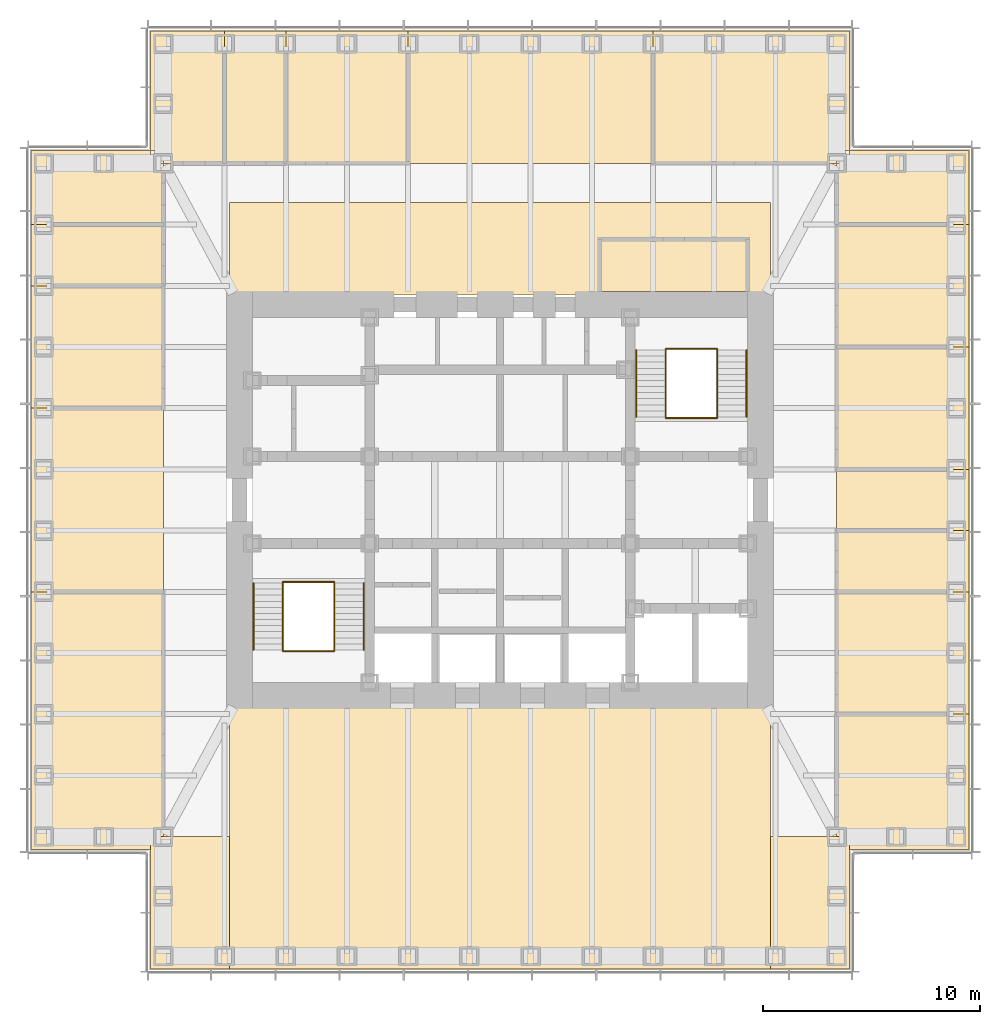
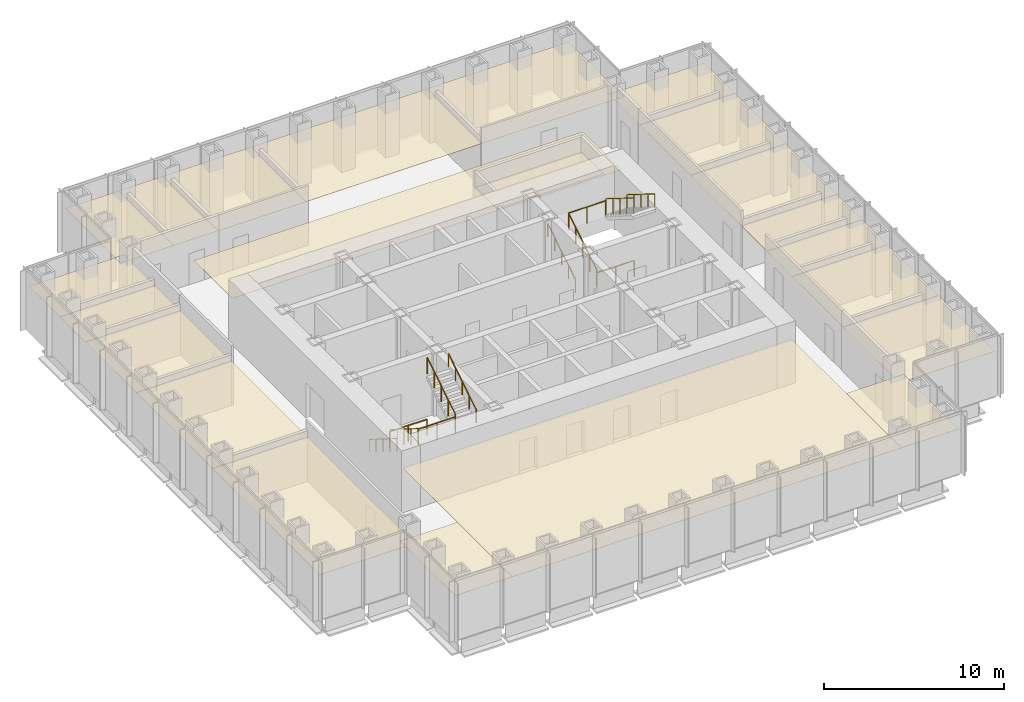
# One storey, part 16 of 16: 22 coverings, 12 railings.
"""IFC4 building model written with IfcOpenShell, lengths in metres."""

from ifc_helpers import new_model, si_unit, direction, frame, origin, origin_2d, place, context, subcontext, project, spatial, polyline, circle, outline, extrude, material, layer, layer_set, type_object, element, save


model = new_model("IFC4")

# Units and contexts
model_context = context("Model", 3, precision=1e-05, world=origin(), true_north=direction((0.0, 1.0)))
body_context = subcontext(model_context, "Body", "Model", "MODEL_VIEW")
ifc_project = project(units=[si_unit("LENGTHUNIT", "METRE"), si_unit("AREAUNIT", "SQUARE_METRE"), si_unit("VOLUMEUNIT", "CUBIC_METRE"), si_unit("PLANEANGLEUNIT", "RADIAN"), si_unit("MASSUNIT", "GRAM", prefix="KILO")], contexts=[model_context])

# Site, building, storey
site_placement = place(None, origin())
site = spatial("IfcSite", under=ifc_project, at=site_placement, CompositionType="ELEMENT")
building_placement = place(site_placement, origin())
building = spatial("IfcBuilding", under=site, at=building_placement, Name="Daluyong Arena Tower", CompositionType="ELEMENT")
storey_placement = place(building_placement, frame((0.0, 0.0, 210.699951171875)))
storey = spatial("IfcBuildingStorey", under=building, at=storey_placement, Name="L47", CompositionType="ELEMENT", Elevation=210.699951171875)

# Coverings
ifc_material_1 = material(Name="Mineral fibre ceiling tile", Category="gypsum board")
ifc_layer = layer(ifc_material_1, 0.02001953125)
ifc_layer_set = layer_set([ifc_layer], Name="Mineral fibre ceiling tile")
covering_type = type_object("IfcCoveringType", Name="Office ceiling", PredefinedType="CEILING", material=ifc_layer_set)
covering_1_placement = place(storey_placement, frame((0.0, 0.0, 2.900146484375)))
element("IfcCovering", 1, at=covering_1_placement, inside=storey, type_object=covering_type, Name="ceiling L47-01", PredefinedType="CEILING", context=body_context, shape_type="SweptSolid", body=[
    extrude(outline(polyline([(72.10009765625, 63.89990234375), (77.60009765625, 63.89990234375), (77.60009765625, 70.136474609375), (71.5, 70.136474609375), (71.5, 64.5), (72.10009765625, 64.5), (72.10009765625, 63.89990234375)])), origin(), (0.0, 0.0, 1.0), 0.02001953125),
])
covering_2_placement = place(storey_placement, frame((0.0, 0.0, 2.900146484375)))
element("IfcCovering", 2, at=covering_2_placement, inside=storey, type_object=covering_type, Name="ceiling L47-02", PredefinedType="CEILING", context=body_context, shape_type="SweptSolid", body=[
    extrude(outline(polyline([(71.5, 70.136474609375), (77.60009765625, 70.136474609375), (77.60009765625, 75.772705078125), (71.5, 75.772705078125), (71.5, 70.136474609375)])), origin(), (0.0, 0.0, 1.0), 0.02001953125),
])
covering_3_placement = place(storey_placement, frame((0.0, 0.0, 2.900146484375)))
element("IfcCovering", 3, at=covering_3_placement, inside=storey, type_object=covering_type, Name="ceiling L47-03", PredefinedType="CEILING", context=body_context, shape_type="SweptSolid", body=[
    extrude(outline(polyline([(71.5, 75.772705078125), (77.60009765625, 75.772705078125), (77.60009765625, 78.5908203125), (71.5, 78.5908203125), (71.5, 75.772705078125)])), origin(), (0.0, 0.0, 1.0), 0.02001953125),
])
covering_4_placement = place(storey_placement, frame((0.0, 0.0, 2.900146484375)))
element("IfcCovering", 4, at=covering_4_placement, inside=storey, type_object=covering_type, Name="ceiling L47-04", PredefinedType="CEILING", context=body_context, shape_type="SweptSolid", body=[
    extrude(outline(polyline([(71.5, 81.4091796875), (77.60009765625, 81.4091796875), (77.60009765625, 87.04541015625), (71.5, 87.04541015625), (71.5, 81.4091796875)])), origin(), (0.0, 0.0, 1.0), 0.02001953125),
])
covering_5_placement = place(storey_placement, frame((0.0, 0.0, 2.900146484375)))
element("IfcCovering", 5, at=covering_5_placement, inside=storey, type_object=covering_type, Name="ceiling L47-05", PredefinedType="CEILING", context=body_context, shape_type="SweptSolid", body=[
    extrude(outline(polyline([(71.5, 87.04541015625), (77.60009765625, 87.04541015625), (77.60009765625, 92.681884765625), (71.5, 92.681884765625), (71.5, 87.04541015625)])), origin(), (0.0, 0.0, 1.0), 0.02001953125),
])
covering_6_placement = place(storey_placement, frame((0.0, 0.0, 2.900146484375)))
element("IfcCovering", 6, at=covering_6_placement, inside=storey, type_object=covering_type, Name="ceiling L47-06", PredefinedType="CEILING", context=body_context, shape_type="SweptSolid", body=[
    extrude(outline(polyline([(71.5, 92.681884765625), (77.60009765625, 92.681884765625), (77.60009765625, 96.10009765625), (72.10009765625, 96.10009765625), (72.10009765625, 95.5), (71.5, 95.5), (71.5, 92.681884765625)])), origin(), (0.0, 0.0, 1.0), 0.02001953125),
])
covering_7_placement = place(storey_placement, frame((0.0, 0.0, 2.900146484375)))
element("IfcCovering", 7, at=covering_7_placement, inside=storey, type_object=covering_type, Name="ceiling L47-07", PredefinedType="CEILING", context=body_context, shape_type="SweptSolid", body=[
    extrude(outline(polyline([(43.318115234375, 95.5), (43.318115234375, 101.60009765625), (39.89990234375, 101.60009765625), (39.89990234375, 96.10009765625), (40.5, 96.10009765625), (40.5, 95.5), (43.318115234375, 95.5)])), origin(), (0.0, 0.0, 1.0), 0.02001953125),
])
covering_8_placement = place(storey_placement, frame((0.0, 0.0, 2.900146484375)))
element("IfcCovering", 8, at=covering_8_placement, inside=storey, type_object=covering_type, Name="ceiling L47-08", PredefinedType="CEILING", context=body_context, shape_type="SweptSolid", body=[
    extrude(outline(polyline([(46.136474609375, 95.5), (46.136474609375, 101.60009765625), (43.318115234375, 101.60009765625), (43.318115234375, 95.5), (46.136474609375, 95.5)])), origin(), (0.0, 0.0, 1.0), 0.02001953125),
])
covering_9_placement = place(storey_placement, frame((0.0, 0.0, 2.900146484375)))
element("IfcCovering", 9, at=covering_9_placement, inside=storey, type_object=covering_type, Name="ceiling L47-09", PredefinedType="CEILING", context=body_context, shape_type="SweptSolid", body=[
    extrude(outline(polyline([(51.772705078125, 95.5), (51.772705078125, 101.60009765625), (46.136474609375, 101.60009765625), (46.136474609375, 95.5), (51.772705078125, 95.5)])), origin(), (0.0, 0.0, 1.0), 0.02001953125),
])
covering_10_placement = place(storey_placement, frame((0.0, 0.0, 2.900146484375)))
element("IfcCovering", 10, at=covering_10_placement, inside=storey, type_object=covering_type, Name="ceiling L47-10", PredefinedType="CEILING", context=body_context, shape_type="SweptSolid", body=[
    extrude(outline(polyline([(63.04541015625, 95.5), (71.5, 95.5), (71.5, 96.10009765625), (72.10009765625, 96.10009765625), (72.10009765625, 101.60009765625), (63.04541015625, 101.60009765625), (63.04541015625, 95.5)])), origin(), (0.0, 0.0, 1.0), 0.02001953125),
])
covering_11_placement = place(storey_placement, frame((0.0, 0.0, 2.900146484375)))
element("IfcCovering", 11, at=covering_11_placement, inside=storey, type_object=covering_type, Name="ceiling L47-11", PredefinedType="CEILING", context=body_context, shape_type="SweptSolid", body=[
    extrude(outline(polyline([(34.39990234375, 63.89990234375), (39.89990234375, 63.89990234375), (39.89990234375, 64.5), (40.5, 64.5), (40.5, 75.772705078125), (34.39990234375, 75.772705078125), (34.39990234375, 63.89990234375)])), origin(), (0.0, 0.0, 1.0), 0.02001953125),
])
covering_12_placement = place(storey_placement, frame((0.0, 0.0, 2.900146484375)))
element("IfcCovering", 12, at=covering_12_placement, inside=storey, type_object=covering_type, Name="ceiling L47-12", PredefinedType="CEILING", context=body_context, shape_type="SweptSolid", body=[
    extrude(outline(polyline([(40.5, 89.863525390625), (34.39990234375, 89.863525390625), (34.39990234375, 84.227294921875), (40.5, 84.227294921875), (40.5, 89.863525390625)])), origin(), (0.0, 0.0, 1.0), 0.02001953125),
])
covering_13_placement = place(storey_placement, frame((0.0, 0.0, 2.900146484375)))
element("IfcCovering", 13, at=covering_13_placement, inside=storey, type_object=covering_type, Name="ceiling L47-13", PredefinedType="CEILING", context=body_context, shape_type="SweptSolid", body=[
    extrude(outline(polyline([(40.5, 92.681884765625), (34.39990234375, 92.681884765625), (34.39990234375, 89.863525390625), (40.5, 89.863525390625), (40.5, 92.681884765625)])), origin(), (0.0, 0.0, 1.0), 0.02001953125),
])
covering_14_placement = place(storey_placement, frame((0.0, 0.0, 2.900146484375)))
element("IfcCovering", 14, at=covering_14_placement, inside=storey, type_object=covering_type, Name="ceiling L47-14", PredefinedType="CEILING", context=body_context, shape_type="SweptSolid", body=[
    extrude(outline(polyline([(40.5, 92.681884765625), (40.5, 95.5), (39.89990234375, 95.5), (39.89990234375, 96.10009765625), (34.39990234375, 96.10009765625), (34.39990234375, 92.681884765625), (40.5, 92.681884765625)])), origin(), (0.0, 0.0, 1.0), 0.02001953125),
])
covering_15_placement = place(storey_placement, frame((0.0, 0.0, 2.900146484375)))
element("IfcCovering", 15, at=covering_15_placement, inside=storey, type_object=covering_type, Name="ceiling L47-15", PredefinedType="CEILING", context=body_context, shape_type="SweptSolid", body=[
    extrude(outline(polyline([(60.60009765625, 89.60009765625), (67.39990234375, 89.60009765625), (67.39990234375, 92.0), (60.60009765625, 92.0), (60.60009765625, 89.60009765625)])), origin(), (0.0, 0.0, 1.0), 0.02001953125),
])
covering_16_placement = place(storey_placement, frame((0.0, 0.0, 2.900146484375)))
element("IfcCovering", 16, at=covering_16_placement, inside=storey, type_object=covering_type, Name="ceiling L47-19", PredefinedType="CEILING", context=body_context, shape_type="SweptSolid", body=[
    extrude(outline(polyline([(43.550048828125, 58.39990234375), (68.449951171875, 58.39990234375), (68.449951171875, 70.550048828125), (43.550048828125, 70.550048828125), (43.550048828125, 58.39990234375)])), origin(), (0.0, 0.0, 1.0), 0.02001953125),
])
covering_17_placement = place(storey_placement, frame((0.0, 0.0, 2.900146484375)))
element("IfcCovering", 17, at=covering_17_placement, inside=storey, type_object=covering_type, Name="ceiling L47-20", PredefinedType="CEILING", context=body_context, shape_type="SweptSolid", body=[
    extrude(outline(polyline([(71.5, 78.5908203125), (77.60009765625, 78.5908203125), (77.60009765625, 81.4091796875), (71.5, 81.4091796875), (71.5, 78.5908203125)])), origin(), (0.0, 0.0, 1.0), 0.02001953125),
])
covering_18_placement = place(storey_placement, frame((0.0, 0.0, 2.900146484375)))
element("IfcCovering", 18, at=covering_18_placement, inside=storey, type_object=covering_type, Name="ceiling L47-21", PredefinedType="CEILING", context=body_context, shape_type="SweptSolid", body=[
    extrude(outline(polyline([(72.10009765625, 58.39990234375), (72.10009765625, 64.5), (68.449951171875, 64.5), (68.449951171875, 58.39990234375), (72.10009765625, 58.39990234375)])), origin(), (0.0, 0.0, 1.0), 0.02001953125),
])
covering_19_placement = place(storey_placement, frame((0.0, 0.0, 2.900146484375)))
element("IfcCovering", 19, at=covering_19_placement, inside=storey, type_object=covering_type, Name="ceiling L47-22", PredefinedType="CEILING", context=body_context, shape_type="SweptSolid", body=[
    extrude(outline(polyline([(63.04541015625, 101.60009765625), (51.772705078125, 101.60009765625), (51.772705078125, 95.5), (63.04541015625, 95.5), (63.04541015625, 101.60009765625)])), origin(), (0.0, 0.0, 1.0), 0.02001953125),
])
covering_20_placement = place(storey_placement, frame((0.0, 0.0, 2.900146484375)))
element("IfcCovering", 20, at=covering_20_placement, inside=storey, type_object=covering_type, Name="ceiling L47-23", PredefinedType="CEILING", context=body_context, shape_type="SweptSolid", body=[
    extrude(outline(polyline([(43.550048828125, 89.449951171875), (68.449951171875, 89.449951171875), (68.449951171875, 93.699951171875), (43.550048828125, 93.699951171875), (43.550048828125, 89.449951171875)]), holes=[polyline([(67.39990234375, 89.60009765625), (60.60009765625, 89.60009765625), (60.60009765625, 92.0), (67.39990234375, 92.0), (67.39990234375, 89.60009765625)])]), origin(), (0.0, 0.0, 1.0), 0.02001953125),
])
covering_21_placement = place(storey_placement, frame((0.0, 0.0, 2.900146484375)))
element("IfcCovering", 21, at=covering_21_placement, inside=storey, type_object=covering_type, Name="ceiling L47-24", PredefinedType="CEILING", context=body_context, shape_type="SweptSolid", body=[
    extrude(outline(polyline([(34.39990234375, 84.227294921875), (34.39990234375, 75.772705078125), (40.5, 75.772705078125), (40.5, 84.227294921875), (34.39990234375, 84.227294921875)])), origin(), (0.0, 0.0, 1.0), 0.02001953125),
])
covering_22_placement = place(storey_placement, frame((0.0, 0.0, 2.900146484375)))
element("IfcCovering", 22, at=covering_22_placement, inside=storey, type_object=covering_type, Name="ceiling L47-25", PredefinedType="CEILING", context=body_context, shape_type="SweptSolid", body=[
    extrude(outline(polyline([(39.89990234375, 58.39990234375), (43.550048828125, 58.39990234375), (43.550048828125, 64.5), (39.89990234375, 64.5), (39.89990234375, 58.39990234375)])), origin(), (0.0, 0.0, 1.0), 0.02001953125),
])

# Railings
ifc_material_2 = material(Name="Stainless steel handrail", Category="steel")
railing_type_1 = type_object("IfcRailingType", Name="Stair handrail", PredefinedType="HANDRAIL", material=ifc_material_2)
railing_1_placement = place(storey_placement, frame((44.64990234375, 76.175048828125, 0.175048828125)))
element("IfcRailing", 23, at=railing_1_placement, inside=storey, type_object=railing_type_1, Name="exit stair A handrail L47", PredefinedType="HANDRAIL", context=body_context, shape_type="SweptSolid", body=[
    extrude(circle(Radius=0.02392578125, at=origin_2d()), frame((0.0, 0.0, 0.8759765625), z_axis=(0.0, -0.847998304005, 0.529998940003), x_axis=(1.0, 0.0, 0.0)), (0.0, 0.0, 1.0), 3.632080078125),
    extrude(circle(Radius=0.02099609375, at=origin_2d()), origin(), (0.0, 0.0, 1.0), 0.851806640625),
    extrude(circle(Radius=0.02099609375, at=origin_2d()), frame((0.0, -0.77001953125, 0.481201171875)), (0.0, 0.0, 1.0), 0.851806640625),
    extrude(circle(Radius=0.02099609375, at=origin_2d()), frame((0.0, -1.5400390625, 0.96240234375)), (0.0, 0.0, 1.0), 0.851806640625),
    extrude(circle(Radius=0.02099609375, at=origin_2d()), frame((0.0, -2.31005859375, 1.44384765625)), (0.0, 0.0, 1.0), 0.851806640625),
    extrude(circle(Radius=0.02099609375, at=origin_2d()), frame((0.0, -3.080078125, 1.925048828125)), (0.0, 0.0, 1.0), 0.851806640625),
])
railing_2_placement = place(storey_placement, frame((49.72509765625, 73.094970703125, 2.275146484375)))
element("IfcRailing", 24, at=railing_2_placement, inside=storey, type_object=railing_type_1, Name="exit stair A handrail L47", PredefinedType="HANDRAIL", context=body_context, shape_type="SweptSolid", body=[
    extrude(circle(Radius=0.02392578125, at=origin_2d()), frame((0.0, 0.0, 0.8759765625), z_axis=(0.0, 0.848028513186, 0.529950602248), x_axis=(-1.0, 0.0, 0.0)), (0.0, 0.0, 1.0), 3.632080078125),
    extrude(circle(Radius=0.02099609375, at=origin_2d()), origin(), (0.0, 0.0, 1.0), 0.851806640625),
    extrude(circle(Radius=0.02099609375, at=origin_2d()), frame((0.0, 0.77001953125, 0.481201171875)), (0.0, 0.0, 1.0), 0.851806640625),
    extrude(circle(Radius=0.02099609375, at=origin_2d()), frame((0.0, 1.5400390625, 0.96240234375)), (0.0, 0.0, 1.0), 0.851806640625),
    extrude(circle(Radius=0.02099609375, at=origin_2d()), frame((0.0, 2.31005859375, 1.443603515625)), (0.0, 0.0, 1.0), 0.851806640625),
    extrude(circle(Radius=0.02099609375, at=origin_2d()), frame((0.0, 3.080078125, 1.9248046875)), (0.0, 0.0, 1.0), 0.851806640625),
])
railing_3_placement = place(storey_placement, frame((62.27490234375, 83.824951171875, 0.175048828125)))
element("IfcRailing", 25, at=railing_3_placement, inside=storey, type_object=railing_type_1, Name="exit stair B handrail L47", PredefinedType="HANDRAIL", context=body_context, shape_type="SweptSolid", body=[
    extrude(circle(Radius=0.02392578125, at=origin_2d()), frame((0.0, 0.0, 0.8759765625), z_axis=(0.0, 0.847998304005, 0.529998940003), x_axis=(-1.0, 0.0, 0.0)), (0.0, 0.0, 1.0), 3.632080078125),
    extrude(circle(Radius=0.02099609375, at=origin_2d()), origin(), (0.0, 0.0, 1.0), 0.851806640625),
    extrude(circle(Radius=0.02099609375, at=origin_2d()), frame((0.0, 0.77001953125, 0.481201171875)), (0.0, 0.0, 1.0), 0.851806640625),
    extrude(circle(Radius=0.02099609375, at=origin_2d()), frame((0.0, 1.5400390625, 0.96240234375)), (0.0, 0.0, 1.0), 0.851806640625),
    extrude(circle(Radius=0.02099609375, at=origin_2d()), frame((0.0, 2.31005859375, 1.44384765625)), (0.0, 0.0, 1.0), 0.851806640625),
    extrude(circle(Radius=0.02099609375, at=origin_2d()), frame((0.0, 3.080078125, 1.925048828125)), (0.0, 0.0, 1.0), 0.851806640625),
])
railing_4_placement = place(storey_placement, frame((67.35009765625, 86.905029296875, 2.275146484375)))
element("IfcRailing", 26, at=railing_4_placement, inside=storey, type_object=railing_type_1, Name="exit stair B handrail L47", PredefinedType="HANDRAIL", context=body_context, shape_type="SweptSolid", body=[
    extrude(circle(Radius=0.02392578125, at=origin_2d()), frame((0.0, 0.0, 0.8759765625), z_axis=(0.0, -0.848028513186, 0.529950602248), x_axis=(1.0, 0.0, 0.0)), (0.0, 0.0, 1.0), 3.632080078125),
    extrude(circle(Radius=0.02099609375, at=origin_2d()), origin(), (0.0, 0.0, 1.0), 0.851806640625),
    extrude(circle(Radius=0.02099609375, at=origin_2d()), frame((0.0, -0.77001953125, 0.481201171875)), (0.0, 0.0, 1.0), 0.851806640625),
    extrude(circle(Radius=0.02099609375, at=origin_2d()), frame((0.0, -1.5400390625, 0.96240234375)), (0.0, 0.0, 1.0), 0.851806640625),
    extrude(circle(Radius=0.02099609375, at=origin_2d()), frame((0.0, -2.31005859375, 1.443603515625)), (0.0, 0.0, 1.0), 0.851806640625),
    extrude(circle(Radius=0.02099609375, at=origin_2d()), frame((0.0, -3.080078125, 1.9248046875)), (0.0, 0.0, 1.0), 0.851806640625),
])
ifc_material_3 = material(Name="Steel balustrade", Category="steel")
railing_type_2 = type_object("IfcRailingType", Name="Stair well guard 1100", PredefinedType="GUARDRAIL", material=ifc_material_3)
railing_5_placement = place(storey_placement, frame((46.0, 76.175048828125, 0.175048828125)))
element("IfcRailing", 27, at=railing_5_placement, inside=storey, type_object=railing_type_2, Name="exit stair A well guard L47", PredefinedType="GUARDRAIL", context=body_context, shape_type="SweptSolid", body=[
    extrude(circle(Radius=0.02392578125, at=origin_2d()), frame((0.0, 0.0, 1.076171875), z_axis=(0.0, -0.847998304005, 0.529998940003), x_axis=(1.0, 0.0, 0.0)), (0.0, 0.0, 1.0), 3.632080078125),
    extrude(circle(Radius=0.02099609375, at=origin_2d()), origin(), (0.0, 0.0, 1.0), 1.052001953125),
    extrude(circle(Radius=0.02099609375, at=origin_2d()), frame((0.0, -0.77001953125, 0.481201171875)), (0.0, 0.0, 1.0), 1.052001953125),
    extrude(circle(Radius=0.02099609375, at=origin_2d()), frame((0.0, -1.5400390625, 0.96240234375)), (0.0, 0.0, 1.0), 1.052001953125),
    extrude(circle(Radius=0.02099609375, at=origin_2d()), frame((0.0, -2.31005859375, 1.44384765625)), (0.0, 0.0, 1.0), 1.052001953125),
    extrude(circle(Radius=0.02099609375, at=origin_2d()), frame((0.0, -3.080078125, 1.925048828125)), (0.0, 0.0, 1.0), 1.052001953125),
])
railing_6_placement = place(storey_placement, frame((48.375, 73.094970703125, 2.275146484375)))
element("IfcRailing", 28, at=railing_6_placement, inside=storey, type_object=railing_type_2, Name="exit stair A well guard L47", PredefinedType="GUARDRAIL", context=body_context, shape_type="SweptSolid", body=[
    extrude(circle(Radius=0.02392578125, at=origin_2d()), frame((0.0, 0.0, 1.076171875), z_axis=(0.0, 0.848028513186, 0.529950602248), x_axis=(-1.0, 0.0, 0.0)), (0.0, 0.0, 1.0), 3.632080078125),
    extrude(circle(Radius=0.02099609375, at=origin_2d()), origin(), (0.0, 0.0, 1.0), 1.052001953125),
    extrude(circle(Radius=0.02099609375, at=origin_2d()), frame((0.0, 0.77001953125, 0.481201171875)), (0.0, 0.0, 1.0), 1.052001953125),
    extrude(circle(Radius=0.02099609375, at=origin_2d()), frame((0.0, 1.5400390625, 0.96240234375)), (0.0, 0.0, 1.0), 1.052001953125),
    extrude(circle(Radius=0.02099609375, at=origin_2d()), frame((0.0, 2.31005859375, 1.443603515625)), (0.0, 0.0, 1.0), 1.052001953125),
    extrude(circle(Radius=0.02099609375, at=origin_2d()), frame((0.0, 3.080078125, 1.9248046875)), (0.0, 0.0, 1.0), 1.052001953125),
])
for number, where, name in (
    (29, (46.0, 73.044921875, 2.10009765625), "exit stair A landing guard L47"),
    (30, (46.0, 76.22509765625, 0.0), "exit stair A floor landing guard L47"),
):
    element("IfcRailing", number, at=place(storey_placement, frame(where)), inside=storey, type_object=railing_type_2, Name=name, PredefinedType="GUARDRAIL", context=body_context, shape_type="SweptSolid", body=[
        extrude(circle(Radius=0.02392578125, at=origin_2d()), frame((0.0, 0.0, 1.076171875), z_axis=(1.0, 0.0, 0.0), x_axis=(0.0, 1.0, 0.0)), (0.0, 0.0, 1.0), 2.375),
        extrude(circle(Radius=0.02099609375, at=origin_2d()), origin(), (0.0, 0.0, 1.0), 1.052001953125),
        extrude(circle(Radius=0.02099609375, at=origin_2d()), frame((1.1875, 0.0, 0.0)), (0.0, 0.0, 1.0), 1.052001953125),
        extrude(circle(Radius=0.02099609375, at=origin_2d()), frame((2.375, 0.0, 0.0)), (0.0, 0.0, 1.0), 1.052001953125),
    ])
railing_7_placement = place(storey_placement, frame((63.625, 83.824951171875, 0.175048828125)))
element("IfcRailing", 31, at=railing_7_placement, inside=storey, type_object=railing_type_2, Name="exit stair B well guard L47", PredefinedType="GUARDRAIL", context=body_context, shape_type="SweptSolid", body=[
    extrude(circle(Radius=0.02392578125, at=origin_2d()), frame((0.0, 0.0, 1.076171875), z_axis=(0.0, 0.847998304005, 0.529998940003), x_axis=(-1.0, 0.0, 0.0)), (0.0, 0.0, 1.0), 3.632080078125),
    extrude(circle(Radius=0.02099609375, at=origin_2d()), origin(), (0.0, 0.0, 1.0), 1.052001953125),
    extrude(circle(Radius=0.02099609375, at=origin_2d()), frame((0.0, 0.77001953125, 0.481201171875)), (0.0, 0.0, 1.0), 1.052001953125),
    extrude(circle(Radius=0.02099609375, at=origin_2d()), frame((0.0, 1.5400390625, 0.96240234375)), (0.0, 0.0, 1.0), 1.052001953125),
    extrude(circle(Radius=0.02099609375, at=origin_2d()), frame((0.0, 2.31005859375, 1.44384765625)), (0.0, 0.0, 1.0), 1.052001953125),
    extrude(circle(Radius=0.02099609375, at=origin_2d()), frame((0.0, 3.080078125, 1.925048828125)), (0.0, 0.0, 1.0), 1.052001953125),
])
railing_8_placement = place(storey_placement, frame((66.0, 86.905029296875, 2.275146484375)))
element("IfcRailing", 32, at=railing_8_placement, inside=storey, type_object=railing_type_2, Name="exit stair B well guard L47", PredefinedType="GUARDRAIL", context=body_context, shape_type="SweptSolid", body=[
    extrude(circle(Radius=0.02392578125, at=origin_2d()), frame((0.0, 0.0, 1.076171875), z_axis=(0.0, -0.848028513186, 0.529950602248), x_axis=(1.0, 0.0, 0.0)), (0.0, 0.0, 1.0), 3.632080078125),
    extrude(circle(Radius=0.02099609375, at=origin_2d()), origin(), (0.0, 0.0, 1.0), 1.052001953125),
    extrude(circle(Radius=0.02099609375, at=origin_2d()), frame((0.0, -0.77001953125, 0.481201171875)), (0.0, 0.0, 1.0), 1.052001953125),
    extrude(circle(Radius=0.02099609375, at=origin_2d()), frame((0.0, -1.5400390625, 0.96240234375)), (0.0, 0.0, 1.0), 1.052001953125),
    extrude(circle(Radius=0.02099609375, at=origin_2d()), frame((0.0, -2.31005859375, 1.443603515625)), (0.0, 0.0, 1.0), 1.052001953125),
    extrude(circle(Radius=0.02099609375, at=origin_2d()), frame((0.0, -3.080078125, 1.9248046875)), (0.0, 0.0, 1.0), 1.052001953125),
])
for number, where, name in (
    (33, (63.625, 86.955078125, 2.10009765625), "exit stair B landing guard L47"),
    (34, (63.625, 83.77490234375, 0.0), "exit stair B floor landing guard L47"),
):
    element("IfcRailing", number, at=place(storey_placement, frame(where)), inside=storey, type_object=railing_type_2, Name=name, PredefinedType="GUARDRAIL", context=body_context, shape_type="SweptSolid", body=[
        extrude(circle(Radius=0.02392578125, at=origin_2d()), frame((0.0, 0.0, 1.076171875), z_axis=(1.0, 0.0, 0.0), x_axis=(0.0, 1.0, 0.0)), (0.0, 0.0, 1.0), 2.375),
        extrude(circle(Radius=0.02099609375, at=origin_2d()), origin(), (0.0, 0.0, 1.0), 1.052001953125),
        extrude(circle(Radius=0.02099609375, at=origin_2d()), frame((1.1875, 0.0, 0.0)), (0.0, 0.0, 1.0), 1.052001953125),
        extrude(circle(Radius=0.02099609375, at=origin_2d()), frame((2.375, 0.0, 0.0)), (0.0, 0.0, 1.0), 1.052001953125),
    ])

save(model, "model.ifc")
